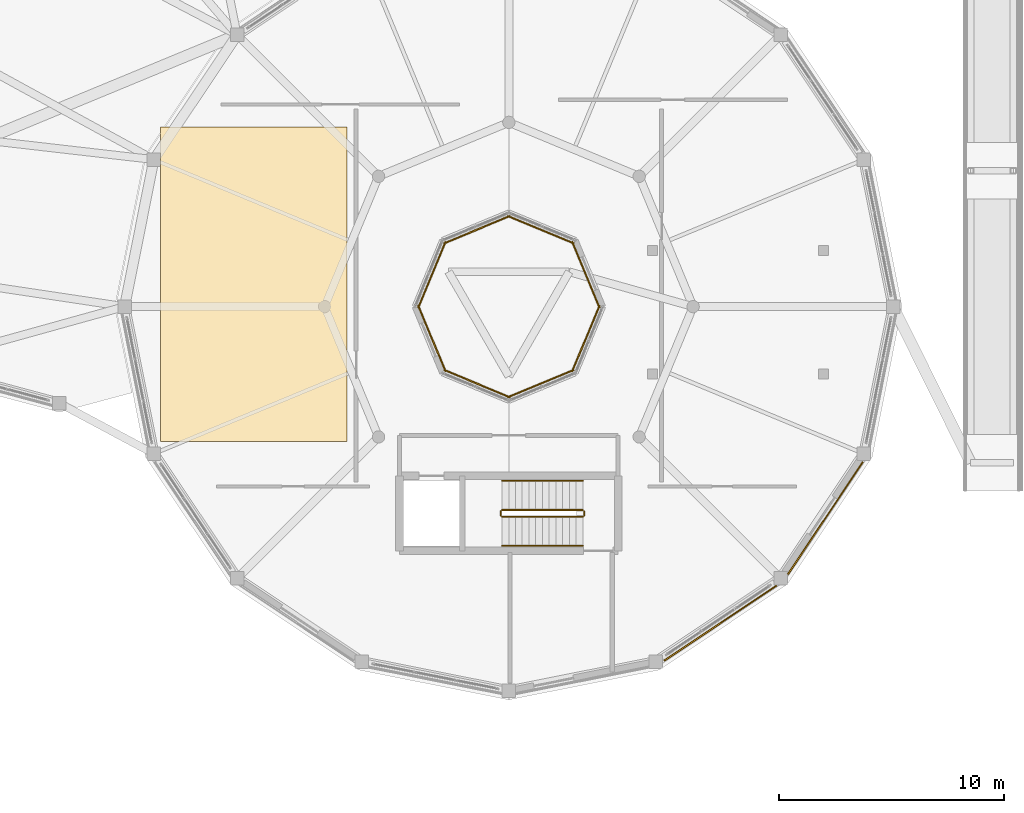
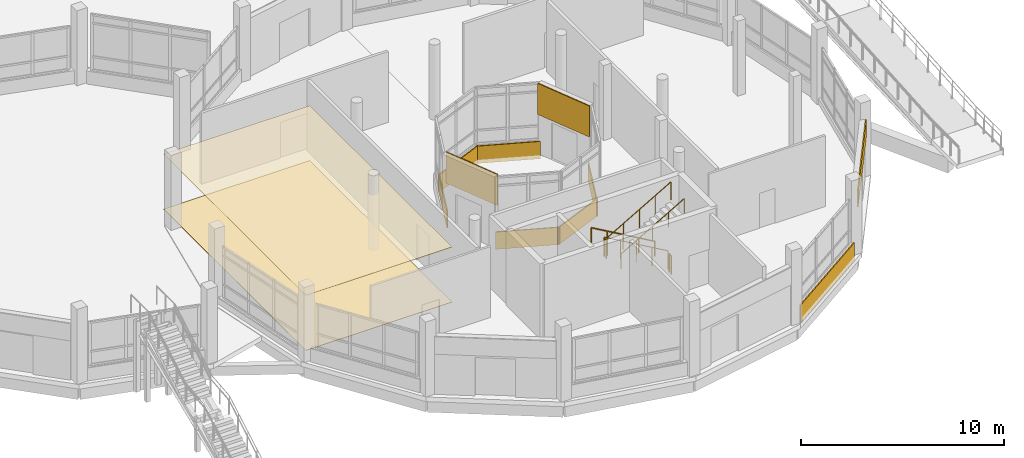
# One storey, part 126 of 129: 12 coverings, 6 railings.
"""IFC4 building model written with IfcOpenShell, lengths in metres."""

from ifc_helpers import new_model, si_unit, direction, frame, frame_2d, origin, origin_2d, place, context, subcontext, project, spatial, polyline, rectangle, circle, outline, extrude, material, layer, layer_set, type_object, element, save


model = new_model("IFC4")

# Units and contexts
model_context = context("Model", 3, precision=1e-05, world=origin(), true_north=direction((0.0, 1.0)))
body_context = subcontext(model_context, "Body", "Model", "MODEL_VIEW")
ifc_project = project(units=[si_unit("LENGTHUNIT", "METRE"), si_unit("AREAUNIT", "SQUARE_METRE"), si_unit("VOLUMEUNIT", "CUBIC_METRE"), si_unit("PLANEANGLEUNIT", "RADIAN"), si_unit("MASSUNIT", "GRAM", prefix="KILO")], contexts=[model_context])

# Site, building, storey
site_placement = place(None, origin())
site = spatial("IfcSite", under=ifc_project, at=site_placement, CompositionType="ELEMENT")
building_placement = place(site_placement, origin())
building = spatial("IfcBuilding", under=site, at=building_placement, Name="Vespera Passage Community Centre", CompositionType="ELEMENT")
storey_placement = place(building_placement, origin())
storey = spatial("IfcBuildingStorey", under=building, at=storey_placement, Name="L00", CompositionType="ELEMENT", Elevation=0.0)

# Coverings
ifc_material_1 = material(Name="Acoustic mineral-fibre tile")
ifc_layer_1 = layer(ifc_material_1, 0.02490234375)
ifc_layer_set_1 = layer_set([ifc_layer_1], Name="Acoustic mineral-fibre tile")
covering_type_1 = type_object("IfcCoveringType", Name="COV-CEIL-25I", PredefinedType="CEILING", material=ifc_layer_set_1)
covering_1_placement = place(storey_placement, frame((0.0, 0.0, 3.300048828125)))
element("IfcCovering", 1, at=covering_1_placement, inside=storey, type_object=covering_type_1, Name="Dining Hall Acoustic Ceiling", PredefinedType="CEILING", context=body_context, shape_type="SweptSolid", body=[
    extrude(outline(polyline([(125.5, 19.0), (133.800048828125, 19.0), (133.800048828125, 33.0), (125.5, 33.0), (125.5, 19.0)])), origin(), (0.0, 0.0, 1.0), 0.02490234375),
])
ifc_material_2 = material(Name="Precast concrete f'c 40 MPa", Category="concrete")
ifc_layer_2 = layer(ifc_material_2, 0.06005859375)
ifc_layer_set_2 = layer_set([ifc_layer_2], Name="Precast concrete f'c 40 MPa")
covering_type_2 = type_object("IfcCoveringType", Name="COV-CLAD-60E", PredefinedType="CLADDING", material=ifc_layer_set_2)
covering_2_placement = place(storey_placement, frame((152.90673828125, 12.58056640625, -0.260009765625), z_axis=(0.0, 0.0, 1.0), x_axis=(-0.831467707354, -0.555573083966, 0.0)))
element("IfcCovering", 2, at=covering_2_placement, inside=storey, type_object=covering_type_2, Name="V3 L00 White Spandrel Band 14", PredefinedType="CLADDING", context=body_context, shape_type="SweptSolid", body=[
    extrude(rectangle(XDim=6.00048828125, YDim=0.06005859375, at=frame_2d((3.000244140625, 0.0))), origin(), (0.0, 0.0, 1.0), 1.06005859375),
])
covering_3_placement = place(storey_placement, frame((156.753173828125, 18.08251953125, 2.449951171875), z_axis=(0.0, 0.0, 1.0), x_axis=(-0.555573083966, -0.831467707354, 0.0)))
element("IfcCovering", 3, at=covering_3_placement, inside=storey, type_object=covering_type_2, Name="V3 L00 Exit White Band 15", PredefinedType="CLADDING", context=body_context, shape_type="SweptSolid", body=[
    extrude(rectangle(XDim=6.00048828125, YDim=0.06005859375, at=frame_2d((3.000244140625, 0.0))), origin(), (0.0, 0.0, 1.0), 1.045166015625),
])
covering_4_placement = place(storey_placement, frame((145.036865234375, 24.940673828125, 2.39990234375), z_axis=(0.0, 0.0, 1.0), x_axis=(-0.382691013977, 0.923876392068, 0.0)))
element("IfcCovering", 4, at=covering_4_placement, inside=storey, type_object=covering_type_2, Name="V3 Inner Court Portal Band 1", PredefinedType="CLADDING", context=body_context, shape_type="SweptSolid", body=[
    extrude(rectangle(XDim=3.199462890625, YDim=0.06005859375, at=frame_2d((1.599609375, 0.0))), origin(), (0.0, 0.0, 1.0), 1.860107421875),
])
for number, where, z_axis, x_axis, name in (
    (5, (143.896484375, 27.8125, -0.239990234375), (0.0, 0.0, 1.0), (-0.923876392068, 0.382691013977, 0.0), "V3 L00 Inner Court White Band 2"),
    (6, (141.059326171875, 29.036865234375, -0.239990234375), (0.0, 0.0, 1.0), (-0.923876392068, -0.382691013977, 0.0), "V3 L00 Inner Court White Band 3"),
    (7, (138.1875, 27.896484375, -0.239990234375), (0.0, 0.0, 1.0), (-0.382691013977, -0.923876392068, 0.0), "V3 L00 Inner Court White Band 4"),
):
    element("IfcCovering", number, at=place(storey_placement, frame(where, z_axis=z_axis, x_axis=x_axis)), inside=storey, type_object=covering_type_2, Name=name, PredefinedType="CLADDING", context=body_context, shape_type="SweptSolid", body=[
        extrude(rectangle(XDim=3.199462890625, YDim=0.06005859375, at=frame_2d((1.599609375, 0.0))), origin(), (0.0, 0.0, 1.0), 1.0400390625),
    ])
covering_5_placement = place(storey_placement, frame((136.963134765625, 25.059326171875, 2.39990234375), z_axis=(0.0, 0.0, 1.0), x_axis=(0.382691013977, -0.923876392068, 0.0)))
element("IfcCovering", 8, at=covering_5_placement, inside=storey, type_object=covering_type_2, Name="V3 Inner Court Portal Band 5", PredefinedType="CLADDING", context=body_context, shape_type="SweptSolid", body=[
    extrude(rectangle(XDim=3.199462890625, YDim=0.06005859375, at=frame_2d((1.599609375, 0.0))), origin(), (0.0, 0.0, 1.0), 1.860107421875),
])
for number, where, z_axis, x_axis, name in (
    (9, (138.103515625, 22.1875, -0.239990234375), (0.0, 0.0, 1.0), (0.923876392068, -0.382691013977, 0.0), "V3 L00 Inner Court White Band 6"),
    (10, (140.940673828125, 20.963134765625, -0.239990234375), (0.0, 0.0, 1.0), (0.923876392068, 0.382691013977, 0.0), "V3 L00 Inner Court White Band 7"),
    (11, (143.8125, 22.103515625, -0.239990234375), (0.0, 0.0, 1.0), (0.382691013977, 0.923876392068, 0.0), "V3 L00 Inner Court White Band 8"),
):
    element("IfcCovering", number, at=place(storey_placement, frame(where, z_axis=z_axis, x_axis=x_axis)), inside=storey, type_object=covering_type_2, Name=name, PredefinedType="CLADDING", context=body_context, shape_type="SweptSolid", body=[
        extrude(rectangle(XDim=3.199462890625, YDim=0.06005859375, at=frame_2d((1.599609375, 0.0))), origin(), (0.0, 0.0, 1.0), 1.0400390625),
    ])
ifc_material_3 = material(Name="Epoxy terrazzo flooring")
ifc_layer_3 = layer(ifc_material_3, 0.02001953125)
ifc_layer_set_3 = layer_set([ifc_layer_3], Name="Epoxy terrazzo flooring")
covering_type_3 = type_object("IfcCoveringType", Name="COV-FLOOR-20I", PredefinedType="FLOORING", material=ifc_layer_set_3)
covering_6_placement = place(storey_placement, origin())
element("IfcCovering", 12, at=covering_6_placement, inside=storey, type_object=covering_type_3, Name="Dining Hall Terrazzo Flooring", PredefinedType="FLOORING", context=body_context, shape_type="SweptSolid", body=[
    extrude(outline(polyline([(125.5, 19.0), (133.800048828125, 19.0), (133.800048828125, 33.0), (125.5, 33.0), (125.5, 19.0)])), origin(), (0.0, 0.0, 1.0), 0.02001953125),
])

# Railings
ifc_material_4 = material(Name="Steel ASTM A500 Grade C", Category="steel")
railing_type_1 = type_object("IfcRailingType", Name="RL-HAND-900I", PredefinedType="HANDRAIL", material=ifc_material_4)
railing_1_placement = place(storey_placement, frame((144.294921875, 17.25, 0.173095703125)))
element("IfcRailing", 13, at=railing_1_placement, inside=storey, type_object=railing_type_1, Name="L00 ST08 stair handrail 1", PredefinedType="HANDRAIL", context=body_context, shape_type="SweptSolid", body=[
    extrude(circle(Radius=0.02392578125, at=origin_2d()), frame((0.0, 0.0, 0.8759765625), z_axis=(-0.866178740119, 0.0, 0.499734319579), x_axis=(0.0, -1.0, 0.0)), (0.0, 0.0, 1.0), 4.156005859375),
    extrude(circle(Radius=0.02099609375, at=origin_2d()), origin(), (0.0, 0.0, 1.0), 0.851806640625),
    extrude(circle(Radius=0.02099609375, at=origin_2d()), frame((-0.89990234375, 0.0, 0.519287109375)), (0.0, 0.0, 1.0), 0.851806640625),
    extrude(circle(Radius=0.02099609375, at=origin_2d()), frame((-1.7998046875, 0.0, 1.03857421875)), (0.0, 0.0, 1.0), 0.851806640625),
    extrude(circle(Radius=0.02099609375, at=origin_2d()), frame((-2.699951171875, 0.0, 1.5576171875)), (0.0, 0.0, 1.0), 0.851806640625),
    extrude(circle(Radius=0.02099609375, at=origin_2d()), frame((-3.599853515625, 0.0, 2.076904296875)), (0.0, 0.0, 1.0), 0.851806640625),
])
railing_2_placement = place(storey_placement, frame((140.695068359375, 14.35009765625, 2.423095703125)))
element("IfcRailing", 14, at=railing_2_placement, inside=storey, type_object=railing_type_1, Name="L00 ST08 stair handrail 2", PredefinedType="HANDRAIL", context=body_context, shape_type="SweptSolid", body=[
    extrude(circle(Radius=0.02392578125, at=origin_2d()), frame((0.0, 0.0, 0.8759765625), z_axis=(0.866178740119, 0.0, 0.499734319579), x_axis=(0.0, 1.0, 0.0)), (0.0, 0.0, 1.0), 4.156005859375),
    extrude(circle(Radius=0.02099609375, at=origin_2d()), origin(), (0.0, 0.0, 1.0), 0.851806640625),
    extrude(circle(Radius=0.02099609375, at=origin_2d()), frame((0.89990234375, 0.0, 0.519287109375)), (0.0, 0.0, 1.0), 0.851806640625),
    extrude(circle(Radius=0.02099609375, at=origin_2d()), frame((1.7998046875, 0.0, 1.03857421875)), (0.0, 0.0, 1.0), 0.851806640625),
    extrude(circle(Radius=0.02099609375, at=origin_2d()), frame((2.699951171875, 0.0, 1.5576171875)), (0.0, 0.0, 1.0), 0.851806640625),
    extrude(circle(Radius=0.02099609375, at=origin_2d()), frame((3.599853515625, 0.0, 2.076904296875)), (0.0, 0.0, 1.0), 0.851806640625),
])
ifc_material_5 = material(Name="Steel ASTM A500 Grade C", Category="steel")
railing_type_2 = type_object("IfcRailingType", Name="RL-STAIR-1100I", PredefinedType="GUARDRAIL", material=ifc_material_5)
railing_3_placement = place(storey_placement, frame((144.294921875, 15.949951171875, 0.173095703125)))
element("IfcRailing", 15, at=railing_3_placement, inside=storey, type_object=railing_type_2, Name="L00 ST08 stair guard 1", PredefinedType="GUARDRAIL", context=body_context, shape_type="SweptSolid", body=[
    extrude(circle(Radius=0.02392578125, at=origin_2d()), frame((0.0, 0.0, 1.09619140625), z_axis=(-0.866178740119, 0.0, 0.499734319579), x_axis=(0.0, -1.0, 0.0)), (0.0, 0.0, 1.0), 4.156005859375),
    extrude(circle(Radius=0.02099609375, at=origin_2d()), origin(), (0.0, 0.0, 1.0), 1.072021484375),
    extrude(circle(Radius=0.02099609375, at=origin_2d()), frame((-0.89990234375, 0.0, 0.519287109375)), (0.0, 0.0, 1.0), 1.072021484375),
    extrude(circle(Radius=0.02099609375, at=origin_2d()), frame((-1.7998046875, 0.0, 1.03857421875)), (0.0, 0.0, 1.0), 1.072021484375),
    extrude(circle(Radius=0.02099609375, at=origin_2d()), frame((-2.699951171875, 0.0, 1.5576171875)), (0.0, 0.0, 1.0), 1.072021484375),
    extrude(circle(Radius=0.02099609375, at=origin_2d()), frame((-3.599853515625, 0.0, 2.076904296875)), (0.0, 0.0, 1.0), 1.072021484375),
])
railing_4_placement = place(storey_placement, frame((140.64501953125, 15.89990234375, 2.25)))
element("IfcRailing", 16, at=railing_4_placement, inside=storey, type_object=railing_type_2, Name="L00 ST08 stair guard 2", PredefinedType="GUARDRAIL", context=body_context, shape_type="SweptSolid", body=[
    extrude(circle(Radius=0.02392578125, at=origin_2d()), frame((0.0, 0.0, 1.09619140625), z_axis=(0.0, -1.0, 0.0), x_axis=(1.0, 0.0, 0.0)), (0.0, 0.0, 1.0), 0.199951171875),
    extrude(circle(Radius=0.02099609375, at=origin_2d()), origin(), (0.0, 0.0, 1.0), 1.072021484375),
    extrude(circle(Radius=0.02099609375, at=origin_2d()), frame((0.0, -0.199951171875, 0.0)), (0.0, 0.0, 1.0), 1.072021484375),
])
railing_5_placement = place(storey_placement, frame((140.695068359375, 15.64990234375, 2.423095703125)))
element("IfcRailing", 17, at=railing_5_placement, inside=storey, type_object=railing_type_2, Name="L00 ST08 stair guard 3", PredefinedType="GUARDRAIL", context=body_context, shape_type="SweptSolid", body=[
    extrude(circle(Radius=0.02392578125, at=origin_2d()), frame((0.0, 0.0, 1.09619140625), z_axis=(0.866178740119, 0.0, 0.499734319579), x_axis=(0.0, 1.0, 0.0)), (0.0, 0.0, 1.0), 4.156005859375),
    extrude(circle(Radius=0.02099609375, at=origin_2d()), origin(), (0.0, 0.0, 1.0), 1.072021484375),
    extrude(circle(Radius=0.02099609375, at=origin_2d()), frame((0.89990234375, 0.0, 0.519287109375)), (0.0, 0.0, 1.0), 1.072021484375),
    extrude(circle(Radius=0.02099609375, at=origin_2d()), frame((1.7998046875, 0.0, 1.03857421875)), (0.0, 0.0, 1.0), 1.072021484375),
    extrude(circle(Radius=0.02099609375, at=origin_2d()), frame((2.699951171875, 0.0, 1.5576171875)), (0.0, 0.0, 1.0), 1.072021484375),
    extrude(circle(Radius=0.02099609375, at=origin_2d()), frame((3.599853515625, 0.0, 2.076904296875)), (0.0, 0.0, 1.0), 1.072021484375),
])
railing_6_placement = place(storey_placement, frame((144.344970703125, 15.89990234375, 0.0)))
element("IfcRailing", 18, at=railing_6_placement, inside=storey, type_object=railing_type_2, Name="L00 ST08 stair guard 4", PredefinedType="GUARDRAIL", context=body_context, shape_type="SweptSolid", body=[
    extrude(circle(Radius=0.02392578125, at=origin_2d()), frame((0.0, 0.0, 1.09619140625), z_axis=(0.0, -1.0, 0.0), x_axis=(1.0, 0.0, 0.0)), (0.0, 0.0, 1.0), 0.199951171875),
    extrude(circle(Radius=0.02099609375, at=origin_2d()), origin(), (0.0, 0.0, 1.0), 1.072021484375),
    extrude(circle(Radius=0.02099609375, at=origin_2d()), frame((0.0, -0.199951171875, 0.0)), (0.0, 0.0, 1.0), 1.072021484375),
])

save(model, "model.ifc")
